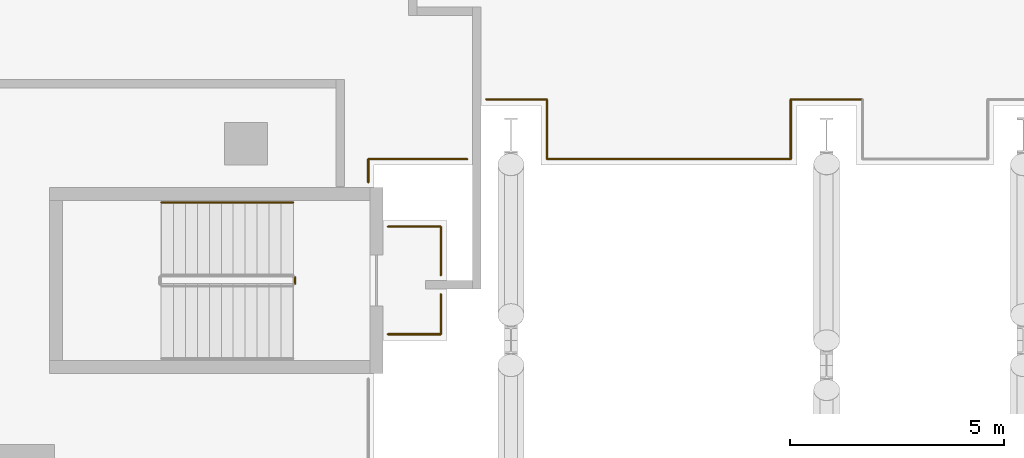
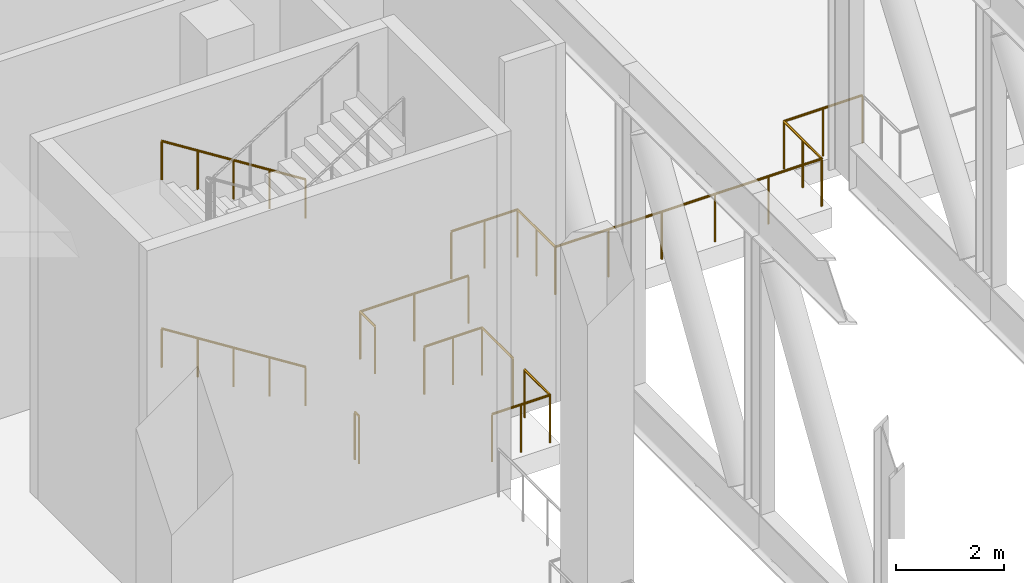
# One storey, part 23 of 33: 14 railings.
"""IFC4 building model written with IfcOpenShell, lengths in metres."""

from ifc_helpers import new_model, si_unit, direction, frame, origin, origin_2d, place, context, subcontext, project, spatial, circle, extrude, material, type_object, element, save


model = new_model("IFC4")

# Units and contexts
model_context = context("Model", 3, precision=1e-05, world=origin(), true_north=direction((0.0, 1.0)))
body_context = subcontext(model_context, "Body", "Model", "MODEL_VIEW")
ifc_project = project(units=[si_unit("LENGTHUNIT", "METRE"), si_unit("AREAUNIT", "SQUARE_METRE"), si_unit("VOLUMEUNIT", "CUBIC_METRE"), si_unit("PLANEANGLEUNIT", "RADIAN"), si_unit("MASSUNIT", "GRAM", prefix="KILO")], contexts=[model_context])

# Site, building, storey
site_placement = place(None, origin())
site = spatial("IfcSite", under=ifc_project, at=site_placement, CompositionType="ELEMENT")
building_placement = place(site_placement, origin())
building = spatial("IfcBuilding", under=site, at=building_placement, Name="Wharfspan Tower", CompositionType="ELEMENT")
storey_placement = place(building_placement, frame((0.0, 0.0, 33.0)))
storey = spatial("IfcBuildingStorey", under=building, at=storey_placement, Name="L05", CompositionType="ELEMENT", Elevation=33.0)

# Railings
ifc_material = material(Name="Steel S355J2", Category="steel")
railing_type_1 = type_object("IfcRailingType", Name="GUARD 1100 STEEL AND GLASS", PredefinedType="GUARDRAIL", material=ifc_material)
railing_1_placement = place(storey_placement, frame((20.230957, 26.73999, 0.0)))
element("IfcRailing", 1, at=railing_1_placement, inside=storey, type_object=railing_type_1, Name="Guard on the deck edge", PredefinedType="GUARDRAIL", context=body_context, shape_type="SweptSolid", body=[
    extrude(circle(Radius=0.024902, at=origin_2d()), frame((0.0, 0.0, 1.075195), z_axis=(-1.0, 0.0, 0.0), x_axis=(0.0, -1.0, 0.0)), (0.0, 0.0, 1.0), 1.679932),
    extrude(circle(Radius=0.02002, at=origin_2d()), origin(), (0.0, 0.0, 1.0), 1.050049),
    extrude(circle(Radius=0.02002, at=origin_2d()), frame((-0.839844, 0.0, 0.0)), (0.0, 0.0, 1.0), 1.050049),
    extrude(circle(Radius=0.02002, at=origin_2d()), frame((-1.679932, 0.0, 0.0)), (0.0, 0.0, 1.0), 1.050049),
])
railing_2_placement = place(storey_placement, frame((18.551025, 26.73999, 0.0)))
element("IfcRailing", 2, at=railing_2_placement, inside=storey, type_object=railing_type_1, Name="Guard on the deck edge", PredefinedType="GUARDRAIL", context=body_context, shape_type="SweptSolid", body=[
    extrude(circle(Radius=0.024902, at=origin_2d()), frame((0.0, 0.0, 1.075195), z_axis=(0.0, -1.0, 0.0), x_axis=(1.0, 0.0, 0.0)), (0.0, 0.0, 1.0), 1.399902),
    extrude(circle(Radius=0.02002, at=origin_2d()), origin(), (0.0, 0.0, 1.0), 1.050049),
    extrude(circle(Radius=0.02002, at=origin_2d()), frame((0.0, -0.699951, 0.0)), (0.0, 0.0, 1.0), 1.050049),
    extrude(circle(Radius=0.02002, at=origin_2d()), frame((0.0, -1.399902, 0.0)), (0.0, 0.0, 1.0), 1.050049),
])
railing_3_placement = place(storey_placement, frame((18.551025, 25.340088, 0.0)))
element("IfcRailing", 3, at=railing_3_placement, inside=storey, type_object=railing_type_1, Name="Guard on the deck edge", PredefinedType="GUARDRAIL", context=body_context, shape_type="SweptSolid", body=[
    extrude(circle(Radius=0.024902, at=origin_2d()), frame((0.0, 0.0, 1.075195), z_axis=(-1.0, 0.0, 0.0), x_axis=(0.0, -1.0, 0.0)), (0.0, 0.0, 1.0), 5.710938),
    extrude(circle(Radius=0.02002, at=origin_2d()), origin(), (0.0, 0.0, 1.0), 1.050049),
    extrude(circle(Radius=0.02002, at=origin_2d()), frame((-1.14209, 0.0, 0.0)), (0.0, 0.0, 1.0), 1.050049),
    extrude(circle(Radius=0.02002, at=origin_2d()), frame((-2.284424, 0.0, 0.0)), (0.0, 0.0, 1.0), 1.050049),
    extrude(circle(Radius=0.02002, at=origin_2d()), frame((-3.426514, 0.0, 0.0)), (0.0, 0.0, 1.0), 1.050049),
    extrude(circle(Radius=0.02002, at=origin_2d()), frame((-4.568848, 0.0, 0.0)), (0.0, 0.0, 1.0), 1.050049),
    extrude(circle(Radius=0.02002, at=origin_2d()), frame((-5.710938, 0.0, 0.0)), (0.0, 0.0, 1.0), 1.050049),
])
railing_4_placement = place(storey_placement, frame((12.840088, 25.340088, 0.0)))
element("IfcRailing", 4, at=railing_4_placement, inside=storey, type_object=railing_type_1, Name="Guard on the deck edge", PredefinedType="GUARDRAIL", context=body_context, shape_type="SweptSolid", body=[
    extrude(circle(Radius=0.024902, at=origin_2d()), frame((0.0, 0.0, 1.075195), z_axis=(0.0, 1.0, 0.0), x_axis=(-1.0, 0.0, 0.0)), (0.0, 0.0, 1.0), 1.399902),
    extrude(circle(Radius=0.02002, at=origin_2d()), origin(), (0.0, 0.0, 1.0), 1.050049),
    extrude(circle(Radius=0.02002, at=origin_2d()), frame((0.0, 0.699951, 0.0)), (0.0, 0.0, 1.0), 1.050049),
    extrude(circle(Radius=0.02002, at=origin_2d()), frame((0.0, 1.399902, 0.0)), (0.0, 0.0, 1.0), 1.050049),
])
railing_5_placement = place(storey_placement, frame((12.840088, 26.73999, 0.0)))
element("IfcRailing", 5, at=railing_5_placement, inside=storey, type_object=railing_type_1, Name="Guard on the deck edge", PredefinedType="GUARDRAIL", context=body_context, shape_type="SweptSolid", body=[
    extrude(circle(Radius=0.024902, at=origin_2d()), frame((0.0, 0.0, 1.075195), z_axis=(-1.0, 0.0, 0.0), x_axis=(0.0, -1.0, 0.0)), (0.0, 0.0, 1.0), 1.420166),
    extrude(circle(Radius=0.02002, at=origin_2d()), origin(), (0.0, 0.0, 1.0), 1.050049),
    extrude(circle(Radius=0.02002, at=origin_2d()), frame((-0.709961, 0.0, 0.0)), (0.0, 0.0, 1.0), 1.050049),
    extrude(circle(Radius=0.02002, at=origin_2d()), frame((-1.420166, 0.0, 0.0)), (0.0, 0.0, 1.0), 1.050049),
])
railing_6_placement = place(storey_placement, frame((10.97998, 25.340088, 0.0)))
element("IfcRailing", 6, at=railing_6_placement, inside=storey, type_object=railing_type_1, Name="Guard on the deck edge", PredefinedType="GUARDRAIL", context=body_context, shape_type="SweptSolid", body=[
    extrude(circle(Radius=0.024902, at=origin_2d()), frame((0.0, 0.0, 1.075195), z_axis=(-1.0, 0.0, 0.0), x_axis=(0.0, -1.0, 0.0)), (0.0, 0.0, 1.0), 2.320068),
    extrude(circle(Radius=0.02002, at=origin_2d()), origin(), (0.0, 0.0, 1.0), 1.050049),
    extrude(circle(Radius=0.02002, at=origin_2d()), frame((-1.160156, 0.0, 0.0)), (0.0, 0.0, 1.0), 1.050049),
    extrude(circle(Radius=0.02002, at=origin_2d()), frame((-2.320068, 0.0, 0.0)), (0.0, 0.0, 1.0), 1.050049),
])
railing_7_placement = place(storey_placement, frame((8.659912, 25.340088, 0.0)))
element("IfcRailing", 7, at=railing_7_placement, inside=storey, type_object=railing_type_1, Name="Guard on the deck edge", PredefinedType="GUARDRAIL", context=body_context, shape_type="SweptSolid", body=[
    extrude(circle(Radius=0.024902, at=origin_2d()), frame((0.0, 0.0, 1.075195), z_axis=(0.0, -1.0, 0.0), x_axis=(1.0, 0.0, 0.0)), (0.0, 0.0, 1.0), 0.545166),
    extrude(circle(Radius=0.02002, at=origin_2d()), origin(), (0.0, 0.0, 1.0), 1.050049),
    extrude(circle(Radius=0.02002, at=origin_2d()), frame((0.0, -0.545166, 0.0)), (0.0, 0.0, 1.0), 1.050049),
])
railing_8_placement = place(storey_placement, frame((9.120117, 23.76001, 0.0)))
element("IfcRailing", 8, at=railing_8_placement, inside=storey, type_object=railing_type_1, Name="Guard on the deck edge", PredefinedType="GUARDRAIL", context=body_context, shape_type="SweptSolid", body=[
    extrude(circle(Radius=0.024902, at=origin_2d()), frame((0.0, 0.0, 1.075195), z_axis=(1.0, 0.0, 0.0), x_axis=(0.0, 1.0, 0.0)), (0.0, 0.0, 1.0), 1.23999),
    extrude(circle(Radius=0.02002, at=origin_2d()), origin(), (0.0, 0.0, 1.0), 1.050049),
    extrude(circle(Radius=0.02002, at=origin_2d()), frame((0.620117, 0.0, 0.0)), (0.0, 0.0, 1.0), 1.050049),
    extrude(circle(Radius=0.02002, at=origin_2d()), frame((1.23999, 0.0, 0.0)), (0.0, 0.0, 1.0), 1.050049),
])
railing_9_placement = place(storey_placement, frame((10.360107, 23.76001, 0.0)))
element("IfcRailing", 9, at=railing_9_placement, inside=storey, type_object=railing_type_1, Name="Guard on the deck edge", PredefinedType="GUARDRAIL", context=body_context, shape_type="SweptSolid", body=[
    extrude(circle(Radius=0.024902, at=origin_2d()), frame((0.0, 0.0, 1.075195), z_axis=(0.0, -1.0, 0.0), x_axis=(1.0, 0.0, 0.0)), (0.0, 0.0, 1.0), 1.139893),
    extrude(circle(Radius=0.02002, at=origin_2d()), origin(), (0.0, 0.0, 1.0), 1.050049),
    extrude(circle(Radius=0.02002, at=origin_2d()), frame((0.0, -1.139893, 0.0)), (0.0, 0.0, 1.0), 1.050049),
])
railing_10_placement = place(storey_placement, frame((10.360107, 22.179932, 0.0)))
element("IfcRailing", 10, at=railing_10_placement, inside=storey, type_object=railing_type_1, Name="Guard on the deck edge", PredefinedType="GUARDRAIL", context=body_context, shape_type="SweptSolid", body=[
    extrude(circle(Radius=0.024902, at=origin_2d()), frame((0.0, 0.0, 1.075195), z_axis=(0.0, -1.0, 0.0), x_axis=(1.0, 0.0, 0.0)), (0.0, 0.0, 1.0), 0.939941),
    extrude(circle(Radius=0.02002, at=origin_2d()), origin(), (0.0, 0.0, 1.0), 1.050049),
    extrude(circle(Radius=0.02002, at=origin_2d()), frame((0.0, -0.939941, 0.0)), (0.0, 0.0, 1.0), 1.050049),
])
railing_11_placement = place(storey_placement, frame((10.360107, 21.23999, 0.0)))
element("IfcRailing", 11, at=railing_11_placement, inside=storey, type_object=railing_type_1, Name="Guard on the deck edge", PredefinedType="GUARDRAIL", context=body_context, shape_type="SweptSolid", body=[
    extrude(circle(Radius=0.024902, at=origin_2d()), frame((0.0, 0.0, 1.075195), z_axis=(-1.0, 0.0, 0.0), x_axis=(0.0, -1.0, 0.0)), (0.0, 0.0, 1.0), 1.23999),
    extrude(circle(Radius=0.02002, at=origin_2d()), origin(), (0.0, 0.0, 1.0), 1.050049),
    extrude(circle(Radius=0.02002, at=origin_2d()), frame((-0.620117, 0.0, 0.0)), (0.0, 0.0, 1.0), 1.050049),
    extrude(circle(Radius=0.02002, at=origin_2d()), frame((-1.23999, 0.0, 0.0)), (0.0, 0.0, 1.0), 1.050049),
])
railing_type_2 = type_object("IfcRailingType", Name="Stair guard 1100", PredefinedType="GUARDRAIL", material=ifc_material)
railing_12_placement = place(storey_placement, frame((6.949951, 22.574951, 0.0)))
element("IfcRailing", 12, at=railing_12_placement, inside=storey, type_object=railing_type_2, Name="L05 ST3 stair guard 2", PredefinedType="GUARDRAIL", context=body_context, shape_type="SweptSolid", body=[
    extrude(circle(Radius=0.023926, at=origin_2d()), frame((0.0, 0.0, 1.076172), z_axis=(0.0, -1.0, 0.0), x_axis=(1.0, 0.0, 0.0)), (0.0, 0.0, 1.0), 0.149902),
    extrude(circle(Radius=0.020996, at=origin_2d()), origin(), (0.0, 0.0, 1.0), 1.052002),
    extrude(circle(Radius=0.020996, at=origin_2d()), frame((0.0, -0.149902, 0.0)), (0.0, 0.0, 1.0), 1.052002),
])
railing_type_3 = type_object("IfcRailingType", Name="Stair handrail 900", PredefinedType="HANDRAIL", material=ifc_material)
for number, where, name in (
    (13, (6.899902, 24.324951, 0.177002), "L05 ST3 stair handrail 1"),
    (14, (6.899902, 24.324951, 4.427002), "L05 ST3 stair handrail 3"),
):
    element("IfcRailing", number, at=place(storey_placement, frame(where)), inside=storey, type_object=railing_type_3, Name=name, PredefinedType="HANDRAIL", context=body_context, shape_type="SweptSolid", body=[
        extrude(circle(Radius=0.023926, at=origin_2d()), frame((0.0, 0.0, 0.875977), z_axis=(-0.845137, 0.0, 0.53455), x_axis=(0.0, -1.0, 0.0)), (0.0, 0.0, 1.0), 3.644287),
        extrude(circle(Radius=0.020996, at=origin_2d()), origin(), (0.0, 0.0, 1.0), 0.851807),
        extrude(circle(Radius=0.020996, at=origin_2d()), frame((-0.77002, 0.0, 0.487061)), (0.0, 0.0, 1.0), 0.851807),
        extrude(circle(Radius=0.020996, at=origin_2d()), frame((-1.540039, 0.0, 0.974121)), (0.0, 0.0, 1.0), 0.851807),
        extrude(circle(Radius=0.020996, at=origin_2d()), frame((-2.309814, 0.0, 1.460938)), (0.0, 0.0, 1.0), 0.851807),
        extrude(circle(Radius=0.020996, at=origin_2d()), frame((-3.079834, 0.0, 1.947998)), (0.0, 0.0, 1.0), 0.851807),
    ])

save(model, "model.ifc")
